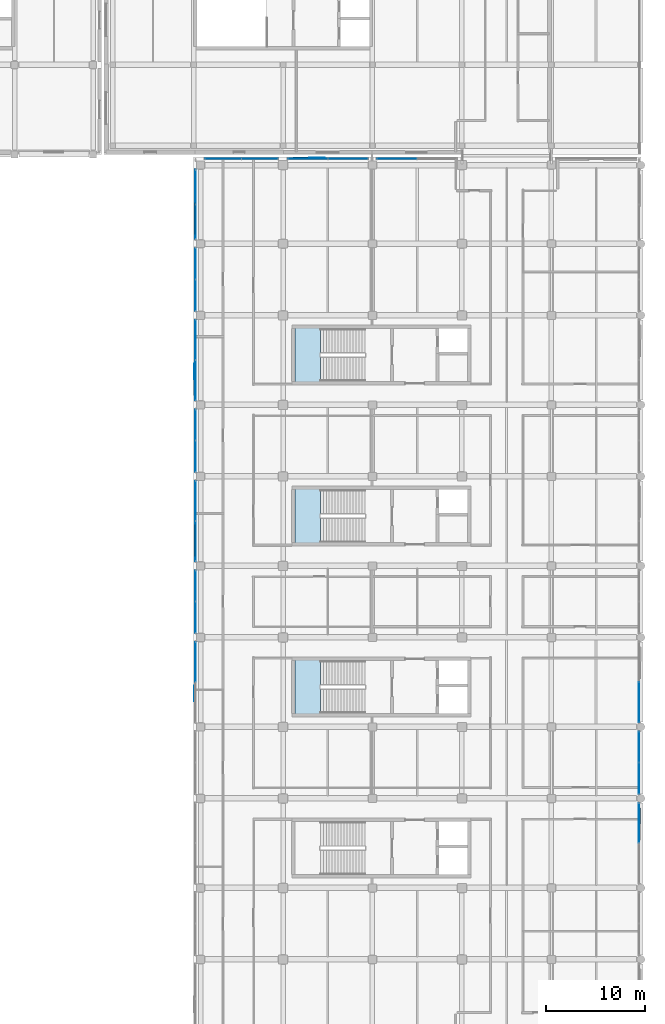
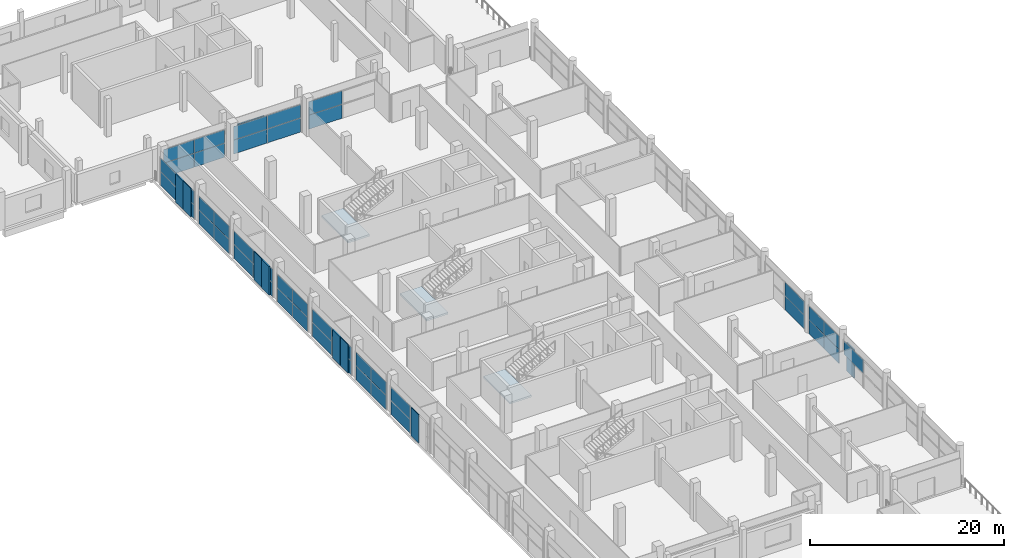
# One storey, part 58 of 111: 53 plates, 3 slabs, 16 elements without a shape of their own.
"""IFC4 building model written with IfcOpenShell, lengths in metres."""

from ifc_helpers import new_model, si_unit, direction, frame, origin, origin_2d, place, context, subcontext, project, spatial, polyline, rectangle, outline, extrude, material, layer, layer_set, type_object, element, aggregate, save


model = new_model("IFC4")

# Units and contexts
model_context = context("Model", 3, precision=1e-05, world=origin(), true_north=direction((0.0, 1.0)))
body_context = subcontext(model_context, "Body", "Model", "MODEL_VIEW")
ifc_project = project(units=[si_unit("LENGTHUNIT", "METRE"), si_unit("AREAUNIT", "SQUARE_METRE"), si_unit("VOLUMEUNIT", "CUBIC_METRE"), si_unit("PLANEANGLEUNIT", "RADIAN"), si_unit("MASSUNIT", "GRAM", prefix="KILO"), si_unit("THERMODYNAMICTEMPERATUREUNIT", "KELVIN"), si_unit("POWERUNIT", "WATT")], contexts=[model_context])

# Site, building, storey
site_placement = place(None, origin())
site = spatial("IfcSite", under=ifc_project, at=site_placement, CompositionType="ELEMENT")
building_placement = place(site_placement, origin())
building = spatial("IfcBuilding", under=site, at=building_placement, Name="Sindhuravela Promenade Stadium", CompositionType="ELEMENT")
storey_placement = place(building_placement, frame((0.0, 0.0, 9.60009765625)))
storey = spatial("IfcBuildingStorey", under=building, at=storey_placement, Name="L02", CompositionType="ELEMENT", Elevation=9.60009765625)

# Plates
ifc_material_1 = material(Name="Perforated terracotta celosia brick (15 MPa)", Category="masonry")
ifc_layer_1 = layer(ifc_material_1, 0.090087890625)
ifc_layer_set_1 = layer_set([ifc_layer_1], Name="Perforated terracotta celosia brick (15 MPa)")
plate_type_1 = type_object("IfcPlateType", Name="CL-SCR-01", PredefinedType="USERDEFINED", material=ifc_layer_set_1)
for number, where, z_axis, x_axis, name in (
    (1, (171.1201171875, 71.7548828125, -0.000244140625), (0.0, 0.0, 1.0), (0.0, 1.0, 0.0), "Perforated brick celosia screen EAST L02-96"),
    (2, (171.1201171875, 104.155029296875, -0.000244140625), (0.0, 0.0, 1.0), (0.0, 1.0, 0.0), "Perforated brick celosia screen EAST L02-100"),
    (3, (183.405029296875, 125.6298828125, -0.000244140625), (0.0, 0.0, 1.0), (1.0, 0.0, 0.0), "Perforated brick celosia screen EAST L02-104"),
):
    element("IfcPlate", number, at=place(storey_placement, frame(where, z_axis=z_axis, x_axis=x_axis)), inside=storey, type_object=plate_type_1, Name=name, ObjectType="SCREEN PANEL", PredefinedType="USERDEFINED", context=body_context, shape_type="SweptSolid", body=[
        extrude(rectangle(XDim=1.56005859375, YDim=0.090087890625, at=origin_2d()), origin(), (0.0, 0.0, 1.0), 3.580078125),
    ])
ifc_layer_2 = layer(ifc_material_1, 0.114990234375)
ifc_layer_set_2 = layer_set([ifc_layer_2], Name="Perforated terracotta celosia brick (15 MPa)")
plate_type_2 = type_object("IfcPlateType", Name="CL-SCR-02", PredefinedType="USERDEFINED", material=ifc_layer_set_2)
for number, where, z_axis, x_axis, name in (
    (4, (171.1201171875, 86.35498046875, -0.000244140625), (0.0, 0.0, 1.0), (0.0, 1.0, 0.0), "Perforated brick celosia screen EAST L02-97"),
    (5, (171.1201171875, 118.7548828125, -0.000244140625), (0.0, 0.0, 1.0), (0.0, 1.0, 0.0), "Perforated brick celosia screen EAST L02-101"),
    (6, (215.8798828125, 59.445068359375, -0.000244140625), (0.0, 0.0, 1.0), (0.0, -1.0, 0.0), "Perforated brick celosia screen EAST L02-113"),
):
    element("IfcPlate", number, at=place(storey_placement, frame(where, z_axis=z_axis, x_axis=x_axis)), inside=storey, type_object=plate_type_2, Name=name, ObjectType="SCREEN PANEL", PredefinedType="USERDEFINED", context=body_context, shape_type="SweptSolid", body=[
        extrude(rectangle(XDim=1.56005859375, YDim=0.114990234375, at=origin_2d()), origin(), (0.0, 0.0, 1.0), 3.580078125),
    ])
ifc_layer_3 = layer(ifc_material_1, 0.139892578125)
ifc_layer_set_3 = layer_set([ifc_layer_3], Name="Perforated terracotta celosia brick (15 MPa)")
plate_type_3 = type_object("IfcPlateType", Name="CL-SCR-03", PredefinedType="USERDEFINED", material=ifc_layer_set_3)
for number, where, z_axis, x_axis, name in (
    (7, (171.1201171875, 87.955078125, -0.000244140625), (0.0, 0.0, 1.0), (0.0, 1.0, 0.0), "Perforated brick celosia screen EAST L02-98"),
    (8, (171.1201171875, 120.35498046875, -0.000244140625), (0.0, 0.0, 1.0), (0.0, 1.0, 0.0), "Perforated brick celosia screen EAST L02-102"),
):
    element("IfcPlate", number, at=place(storey_placement, frame(where, z_axis=z_axis, x_axis=x_axis)), inside=storey, type_object=plate_type_3, Name=name, ObjectType="SCREEN PANEL", PredefinedType="USERDEFINED", context=body_context, shape_type="SweptSolid", body=[
        extrude(rectangle(XDim=1.56005859375, YDim=0.139892578125, at=origin_2d()), origin(), (0.0, 0.0, 1.0), 3.580078125),
    ])
ifc_layer_4 = layer(ifc_material_1, 0.1650390625)
ifc_layer_set_4 = layer_set([ifc_layer_4], Name="Perforated terracotta celosia brick (15 MPa)")
plate_type_4 = type_object("IfcPlateType", Name="CL-SCR-04", PredefinedType="USERDEFINED", material=ifc_layer_set_4)
for number, where, z_axis, x_axis, name in (
    (9, (171.1201171875, 102.554931640625, -0.000244140625), (0.0, 0.0, 1.0), (0.0, 1.0, 0.0), "Perforated brick celosia screen EAST L02-99"),
    (10, (181.804931640625, 125.6298828125, -0.000244140625), (0.0, 0.0, 1.0), (1.0, 0.0, 0.0), "Perforated brick celosia screen EAST L02-103"),
):
    element("IfcPlate", number, at=place(storey_placement, frame(where, z_axis=z_axis, x_axis=x_axis)), inside=storey, type_object=plate_type_4, Name=name, ObjectType="SCREEN PANEL", PredefinedType="USERDEFINED", context=body_context, shape_type="SweptSolid", body=[
        extrude(rectangle(XDim=1.56005859375, YDim=0.1650390625, at=origin_2d()), origin(), (0.0, 0.0, 1.0), 3.580078125),
    ])

# Curtain wall, plates
ifc_material_2 = material(Name="Anodised architectural aluminium 6063-T6", Category="aluminium")
curtain_wall_type_1 = type_object("IfcCurtainWallType", Name="CW-MOD-1", PredefinedType="NOTDEFINED", material=ifc_material_2)
curtain_wall_1_placement = place(storey_placement, origin())
curtain_wall_1 = element("IfcCurtainWall", 11, at=curtain_wall_1_placement, inside=storey, type_object=curtain_wall_type_1, Name="Bronze curtain wall CW-EAST-L02-096", PredefinedType="NOTDEFINED")
ifc_material_3 = material(Name="Tempered laminated low-E glass", Category="glass")
ifc_layer_5 = layer(ifc_material_3, 0.028076171875)
ifc_layer_set_5 = layer_set([ifc_layer_5], Name="Tempered laminated low-E glass")
plate_type_5 = type_object("IfcPlateType", Name="CW-PNL-01", PredefinedType="CURTAIN_PANEL", material=ifc_layer_set_5)
plate_1_placement = place(storey_placement, frame((171.199951171875, 74.925048828125, 0.01513671875), z_axis=(0.0, 0.0, 1.0), x_axis=(0.0, 1.0, 0.0)))
plate_1 = element("IfcPlate", 12, at=plate_1_placement, type_object=plate_type_5, Name="Glazed curtain panel CW-EAST-L02-096-P2.1", PredefinedType="CURTAIN_PANEL", context=body_context, shape_type="SweptSolid", body=[
    extrude(rectangle(XDim=3.989990234375, YDim=0.028076171875, at=origin_2d()), origin(), (0.0, 0.0, 1.0), 1.760009765625),
])
plate_2_placement = place(storey_placement, frame((171.199951171875, 74.925048828125, 1.80517578125), z_axis=(0.0, 0.0, 1.0), x_axis=(0.0, 1.0, 0.0)))
plate_2 = element("IfcPlate", 13, at=plate_2_placement, type_object=plate_type_5, Name="Glazed curtain panel CW-EAST-L02-096-P2.2", PredefinedType="CURTAIN_PANEL", context=body_context, shape_type="SweptSolid", body=[
    extrude(rectangle(XDim=3.989990234375, YDim=0.028076171875, at=origin_2d()), origin(), (0.0, 0.0, 1.0), 1.679931640625),
])
aggregate(curtain_wall_1, [plate_1, plate_2])

curtain_wall_type_2 = type_object("IfcCurtainWallType", Name="CW-MOD-3", PredefinedType="NOTDEFINED", material=ifc_material_2)
curtain_wall_2_placement = place(storey_placement, origin())
curtain_wall_2 = element("IfcCurtainWall", 14, at=curtain_wall_2_placement, inside=storey, type_object=curtain_wall_type_2, Name="Bronze curtain wall CW-EAST-L02-098", PredefinedType="NOTDEFINED")
plate_3_placement = place(storey_placement, frame((171.199951171875, 87.074951171875, 0.01513671875), z_axis=(0.0, 0.0, 1.0), x_axis=(0.0, 1.0, 0.0)))
plate_3 = element("IfcPlate", 15, at=plate_3_placement, type_object=plate_type_5, Name="Glazed curtain panel CW-EAST-L02-098-P1.1", PredefinedType="CURTAIN_PANEL", context=body_context, shape_type="SweptSolid", body=[
    extrude(rectangle(XDim=3.989990234375, YDim=0.028076171875, at=origin_2d()), origin(), (0.0, 0.0, 1.0), 1.760009765625),
])
plate_4_placement = place(storey_placement, frame((171.199951171875, 87.074951171875, 1.80517578125), z_axis=(0.0, 0.0, 1.0), x_axis=(0.0, 1.0, 0.0)))
plate_4 = element("IfcPlate", 16, at=plate_4_placement, type_object=plate_type_5, Name="Glazed curtain panel CW-EAST-L02-098-P1.2", PredefinedType="CURTAIN_PANEL", context=body_context, shape_type="SweptSolid", body=[
    extrude(rectangle(XDim=3.989990234375, YDim=0.028076171875, at=origin_2d()), origin(), (0.0, 0.0, 1.0), 1.679931640625),
])
plate_5_placement = place(storey_placement, frame((171.199951171875, 91.125, 0.01513671875), z_axis=(0.0, 0.0, 1.0), x_axis=(0.0, 1.0, 0.0)))
plate_5 = element("IfcPlate", 17, at=plate_5_placement, type_object=plate_type_5, Name="Glazed curtain panel CW-EAST-L02-098-P2.1", PredefinedType="CURTAIN_PANEL", context=body_context, shape_type="SweptSolid", body=[
    extrude(rectangle(XDim=3.989990234375, YDim=0.028076171875, at=origin_2d()), origin(), (0.0, 0.0, 1.0), 1.760009765625),
])
plate_6_placement = place(storey_placement, frame((171.199951171875, 91.125, 1.80517578125), z_axis=(0.0, 0.0, 1.0), x_axis=(0.0, 1.0, 0.0)))
plate_6 = element("IfcPlate", 18, at=plate_6_placement, type_object=plate_type_5, Name="Glazed curtain panel CW-EAST-L02-098-P2.2", PredefinedType="CURTAIN_PANEL", context=body_context, shape_type="SweptSolid", body=[
    extrude(rectangle(XDim=3.989990234375, YDim=0.028076171875, at=origin_2d()), origin(), (0.0, 0.0, 1.0), 1.679931640625),
])
aggregate(curtain_wall_2, [plate_3, plate_4, plate_5, plate_6])

curtain_wall_type_3 = type_object("IfcCurtainWallType", Name="CW-MOD-5", PredefinedType="NOTDEFINED", material=ifc_material_2)
curtain_wall_3_placement = place(storey_placement, origin())
curtain_wall_3 = element("IfcCurtainWall", 19, at=curtain_wall_3_placement, inside=storey, type_object=curtain_wall_type_3, Name="Bronze curtain wall CW-EAST-L02-100", PredefinedType="NOTDEFINED")
plate_7_placement = place(storey_placement, frame((171.199951171875, 103.27490234375, 0.01513671875), z_axis=(0.0, 0.0, 1.0), x_axis=(0.0, 1.0, 0.0)))
plate_7 = element("IfcPlate", 20, at=plate_7_placement, type_object=plate_type_5, Name="Glazed curtain panel CW-EAST-L02-100-P1.1", PredefinedType="CURTAIN_PANEL", context=body_context, shape_type="SweptSolid", body=[
    extrude(rectangle(XDim=3.989990234375, YDim=0.028076171875, at=origin_2d()), origin(), (0.0, 0.0, 1.0), 1.760009765625),
])
plate_8_placement = place(storey_placement, frame((171.199951171875, 103.27490234375, 1.80517578125), z_axis=(0.0, 0.0, 1.0), x_axis=(0.0, 1.0, 0.0)))
plate_8 = element("IfcPlate", 21, at=plate_8_placement, type_object=plate_type_5, Name="Glazed curtain panel CW-EAST-L02-100-P1.2", PredefinedType="CURTAIN_PANEL", context=body_context, shape_type="SweptSolid", body=[
    extrude(rectangle(XDim=3.989990234375, YDim=0.028076171875, at=origin_2d()), origin(), (0.0, 0.0, 1.0), 1.679931640625),
])
plate_9_placement = place(storey_placement, frame((171.199951171875, 107.324951171875, 0.01513671875), z_axis=(0.0, 0.0, 1.0), x_axis=(0.0, 1.0, 0.0)))
plate_9 = element("IfcPlate", 22, at=plate_9_placement, type_object=plate_type_5, Name="Glazed curtain panel CW-EAST-L02-100-P2.1", PredefinedType="CURTAIN_PANEL", context=body_context, shape_type="SweptSolid", body=[
    extrude(rectangle(XDim=3.989990234375, YDim=0.028076171875, at=origin_2d()), origin(), (0.0, 0.0, 1.0), 1.760009765625),
])
plate_10_placement = place(storey_placement, frame((171.199951171875, 107.324951171875, 1.80517578125), z_axis=(0.0, 0.0, 1.0), x_axis=(0.0, 1.0, 0.0)))
plate_10 = element("IfcPlate", 23, at=plate_10_placement, type_object=plate_type_5, Name="Glazed curtain panel CW-EAST-L02-100-P2.2", PredefinedType="CURTAIN_PANEL", context=body_context, shape_type="SweptSolid", body=[
    extrude(rectangle(XDim=3.989990234375, YDim=0.028076171875, at=origin_2d()), origin(), (0.0, 0.0, 1.0), 1.679931640625),
])
aggregate(curtain_wall_3, [plate_7, plate_8, plate_9, plate_10])

curtain_wall_type_4 = type_object("IfcCurtainWallType", Name="CW-MOD-7", PredefinedType="NOTDEFINED", material=ifc_material_2)
curtain_wall_4_placement = place(storey_placement, origin())
curtain_wall_4 = element("IfcCurtainWall", 24, at=curtain_wall_4_placement, inside=storey, type_object=curtain_wall_type_4, Name="Bronze curtain wall CW-EAST-L02-102", PredefinedType="NOTDEFINED")
plate_11_placement = place(storey_placement, frame((171.199951171875, 119.199951171875, 0.01513671875), z_axis=(0.0, 0.0, 1.0), x_axis=(0.0, 1.0, 0.0)))
plate_11 = element("IfcPlate", 25, at=plate_11_placement, type_object=plate_type_5, Name="Glazed curtain panel CW-EAST-L02-102-P1.1", PredefinedType="CURTAIN_PANEL", context=body_context, shape_type="SweptSolid", body=[
    extrude(rectangle(XDim=3.43994140625, YDim=0.028076171875, at=origin_2d()), origin(), (0.0, 0.0, 1.0), 1.760009765625),
])
plate_12_placement = place(storey_placement, frame((171.199951171875, 119.199951171875, 1.80517578125), z_axis=(0.0, 0.0, 1.0), x_axis=(0.0, 1.0, 0.0)))
plate_12 = element("IfcPlate", 26, at=plate_12_placement, type_object=plate_type_5, Name="Glazed curtain panel CW-EAST-L02-102-P1.2", PredefinedType="CURTAIN_PANEL", context=body_context, shape_type="SweptSolid", body=[
    extrude(rectangle(XDim=3.43994140625, YDim=0.028076171875, at=origin_2d()), origin(), (0.0, 0.0, 1.0), 1.679931640625),
])
plate_13_placement = place(storey_placement, frame((171.199951171875, 122.699951171875, 0.01513671875), z_axis=(0.0, 0.0, 1.0), x_axis=(0.0, 1.0, 0.0)))
plate_13 = element("IfcPlate", 27, at=plate_13_placement, type_object=plate_type_5, Name="Glazed curtain panel CW-EAST-L02-102-P2.1", PredefinedType="CURTAIN_PANEL", context=body_context, shape_type="SweptSolid", body=[
    extrude(rectangle(XDim=3.43994140625, YDim=0.028076171875, at=origin_2d()), origin(), (0.0, 0.0, 1.0), 1.760009765625),
])
plate_14_placement = place(storey_placement, frame((171.199951171875, 122.699951171875, 1.80517578125), z_axis=(0.0, 0.0, 1.0), x_axis=(0.0, 1.0, 0.0)))
plate_14 = element("IfcPlate", 28, at=plate_14_placement, type_object=plate_type_5, Name="Glazed curtain panel CW-EAST-L02-102-P2.2", PredefinedType="CURTAIN_PANEL", context=body_context, shape_type="SweptSolid", body=[
    extrude(rectangle(XDim=3.43994140625, YDim=0.028076171875, at=origin_2d()), origin(), (0.0, 0.0, 1.0), 1.679931640625),
])
aggregate(curtain_wall_4, [plate_11, plate_12, plate_13, plate_14])

curtain_wall_5_placement = place(storey_placement, origin())
curtain_wall_5 = element("IfcCurtainWall", 29, at=curtain_wall_5_placement, inside=storey, type_object=curtain_wall_type_1, Name="Bronze curtain wall CW-EAST-L02-104", PredefinedType="NOTDEFINED")
plate_15_placement = place(storey_placement, frame((182.512451171875, 125.550048828125, 0.01513671875), z_axis=(0.0, 0.0, 1.0), x_axis=(1.0, 0.0, 0.0)))
plate_15 = element("IfcPlate", 30, at=plate_15_placement, type_object=plate_type_5, Name="Glazed curtain panel CW-EAST-L02-104-P1.1", PredefinedType="CURTAIN_PANEL", context=body_context, shape_type="SweptSolid", body=[
    extrude(rectangle(XDim=3.965087890625, YDim=0.028076171875, at=origin_2d()), origin(), (0.0, 0.0, 1.0), 1.760009765625),
])
plate_16_placement = place(storey_placement, frame((182.512451171875, 125.550048828125, 1.80517578125), z_axis=(0.0, 0.0, 1.0), x_axis=(1.0, 0.0, 0.0)))
plate_16 = element("IfcPlate", 31, at=plate_16_placement, type_object=plate_type_5, Name="Glazed curtain panel CW-EAST-L02-104-P1.2", PredefinedType="CURTAIN_PANEL", context=body_context, shape_type="SweptSolid", body=[
    extrude(rectangle(XDim=3.965087890625, YDim=0.028076171875, at=origin_2d()), origin(), (0.0, 0.0, 1.0), 1.679931640625),
])
plate_17_placement = place(storey_placement, frame((186.53759765625, 125.550048828125, 0.01513671875), z_axis=(0.0, 0.0, 1.0), x_axis=(1.0, 0.0, 0.0)))
plate_17 = element("IfcPlate", 32, at=plate_17_placement, type_object=plate_type_5, Name="Glazed curtain panel CW-EAST-L02-104-P2.1", PredefinedType="CURTAIN_PANEL", context=body_context, shape_type="SweptSolid", body=[
    extrude(rectangle(XDim=3.965087890625, YDim=0.028076171875, at=origin_2d()), origin(), (0.0, 0.0, 1.0), 1.760009765625),
])
plate_18_placement = place(storey_placement, frame((186.53759765625, 125.550048828125, 1.80517578125), z_axis=(0.0, 0.0, 1.0), x_axis=(1.0, 0.0, 0.0)))
plate_18 = element("IfcPlate", 33, at=plate_18_placement, type_object=plate_type_5, Name="Glazed curtain panel CW-EAST-L02-104-P2.2", PredefinedType="CURTAIN_PANEL", context=body_context, shape_type="SweptSolid", body=[
    extrude(rectangle(XDim=3.965087890625, YDim=0.028076171875, at=origin_2d()), origin(), (0.0, 0.0, 1.0), 1.679931640625),
])
aggregate(curtain_wall_5, [plate_15, plate_16, plate_17, plate_18])

curtain_wall_6_placement = place(storey_placement, origin())
curtain_wall_6 = element("IfcCurtainWall", 34, at=curtain_wall_6_placement, inside=storey, type_object=curtain_wall_type_1, Name="Bronze curtain wall CW-EAST-L02-112", PredefinedType="NOTDEFINED")
plate_19_placement = place(storey_placement, frame((215.800048828125, 70.875, 0.01513671875), z_axis=(0.0, 0.0, 1.0), x_axis=(0.0, -1.0, 0.0)))
plate_19 = element("IfcPlate", 35, at=plate_19_placement, type_object=plate_type_5, Name="Glazed curtain panel CW-EAST-L02-112-P2.1", PredefinedType="CURTAIN_PANEL", context=body_context, shape_type="SweptSolid", body=[
    extrude(rectangle(XDim=3.989990234375, YDim=0.028076171875, at=origin_2d()), origin(), (0.0, 0.0, 1.0), 1.760009765625),
])
plate_20_placement = place(storey_placement, frame((215.800048828125, 70.875, 1.80517578125), z_axis=(0.0, 0.0, 1.0), x_axis=(0.0, -1.0, 0.0)))
plate_20 = element("IfcPlate", 36, at=plate_20_placement, type_object=plate_type_5, Name="Glazed curtain panel CW-EAST-L02-112-P2.2", PredefinedType="CURTAIN_PANEL", context=body_context, shape_type="SweptSolid", body=[
    extrude(rectangle(XDim=3.989990234375, YDim=0.028076171875, at=origin_2d()), origin(), (0.0, 0.0, 1.0), 1.679931640625),
])
aggregate(curtain_wall_6, [plate_19, plate_20])

# Curtain wall, plate
curtain_wall_7_placement = place(storey_placement, origin())
curtain_wall_7 = element("IfcCurtainWall", 37, at=curtain_wall_7_placement, inside=storey, type_object=curtain_wall_type_2, Name="Bronze curtain wall CW-EAST-L02-114", PredefinedType="NOTDEFINED")
plate_21_placement = place(storey_placement, frame((215.800048828125, 58.72509765625, 1.80517578125), z_axis=(0.0, 0.0, 1.0), x_axis=(0.0, -1.0, 0.0)))
plate_21 = element("IfcPlate", 38, at=plate_21_placement, type_object=plate_type_5, Name="Glazed curtain panel CW-EAST-L02-114-P1.2", PredefinedType="CURTAIN_PANEL", context=body_context, shape_type="SweptSolid", body=[
    extrude(rectangle(XDim=3.989990234375, YDim=0.028076171875, at=origin_2d()), origin(), (0.0, 0.0, 1.0), 1.679931640625),
])
aggregate(curtain_wall_7, [plate_21])

# Curtain wall, plates
curtain_wall_type_5 = type_object("IfcCurtainWallType", Name="CW-MOD-2", PredefinedType="NOTDEFINED", material=ifc_material_2)
curtain_wall_8_placement = place(storey_placement, origin())
curtain_wall_8 = element("IfcCurtainWall", 39, at=curtain_wall_8_placement, inside=storey, type_object=curtain_wall_type_5, Name="Bronze curtain wall CW-EAST-L02-097", PredefinedType="NOTDEFINED")
ifc_layer_6 = layer(ifc_material_3, 0.0400390625)
ifc_layer_set_6 = layer_set([ifc_layer_6], Name="Tempered laminated low-E glass")
plate_type_6 = type_object("IfcPlateType", Name="CW-PNL-02", PredefinedType="CURTAIN_PANEL", material=ifc_layer_set_6)
plate_22_placement = place(storey_placement, frame((171.199951171875, 79.425048828125, 0.01513671875), z_axis=(0.0, 0.0, 1.0), x_axis=(0.0, 1.0, 0.0)))
plate_22 = element("IfcPlate", 40, at=plate_22_placement, type_object=plate_type_6, Name="Glazed curtain panel CW-EAST-L02-097-P1.1", PredefinedType="CURTAIN_PANEL", context=body_context, shape_type="SweptSolid", body=[
    extrude(rectangle(XDim=3.090087890625, YDim=0.0400390625, at=origin_2d()), origin(), (0.0, 0.0, 1.0), 1.760009765625),
])
plate_23_placement = place(storey_placement, frame((171.199951171875, 79.425048828125, 1.80517578125), z_axis=(0.0, 0.0, 1.0), x_axis=(0.0, 1.0, 0.0)))
plate_23 = element("IfcPlate", 41, at=plate_23_placement, type_object=plate_type_6, Name="Glazed curtain panel CW-EAST-L02-097-P1.2", PredefinedType="CURTAIN_PANEL", context=body_context, shape_type="SweptSolid", body=[
    extrude(rectangle(XDim=3.090087890625, YDim=0.0400390625, at=origin_2d()), origin(), (0.0, 0.0, 1.0), 1.679931640625),
])
plate_24_placement = place(storey_placement, frame((171.199951171875, 82.574951171875, 0.01513671875), z_axis=(0.0, 0.0, 1.0), x_axis=(0.0, 1.0, 0.0)))
plate_24 = element("IfcPlate", 42, at=plate_24_placement, type_object=plate_type_6, Name="Glazed curtain panel CW-EAST-L02-097-P2.1", PredefinedType="CURTAIN_PANEL", context=body_context, shape_type="SweptSolid", body=[
    extrude(rectangle(XDim=3.090087890625, YDim=0.0400390625, at=origin_2d()), origin(), (0.0, 0.0, 1.0), 1.760009765625),
])
plate_25_placement = place(storey_placement, frame((171.199951171875, 82.574951171875, 1.80517578125), z_axis=(0.0, 0.0, 1.0), x_axis=(0.0, 1.0, 0.0)))
plate_25 = element("IfcPlate", 43, at=plate_25_placement, type_object=plate_type_6, Name="Glazed curtain panel CW-EAST-L02-097-P2.2", PredefinedType="CURTAIN_PANEL", context=body_context, shape_type="SweptSolid", body=[
    extrude(rectangle(XDim=3.090087890625, YDim=0.0400390625, at=origin_2d()), origin(), (0.0, 0.0, 1.0), 1.679931640625),
])
aggregate(curtain_wall_8, [plate_22, plate_23, plate_24, plate_25])

curtain_wall_type_6 = type_object("IfcCurtainWallType", Name="CW-MOD-4", PredefinedType="NOTDEFINED", material=ifc_material_2)
curtain_wall_9_placement = place(storey_placement, origin())
curtain_wall_9 = element("IfcCurtainWall", 44, at=curtain_wall_9_placement, inside=storey, type_object=curtain_wall_type_6, Name="Bronze curtain wall CW-EAST-L02-099", PredefinedType="NOTDEFINED")
plate_26_placement = place(storey_placement, frame((171.199951171875, 95.625, 0.01513671875), z_axis=(0.0, 0.0, 1.0), x_axis=(0.0, 1.0, 0.0)))
plate_26 = element("IfcPlate", 45, at=plate_26_placement, type_object=plate_type_6, Name="Glazed curtain panel CW-EAST-L02-099-P1.1", PredefinedType="CURTAIN_PANEL", context=body_context, shape_type="SweptSolid", body=[
    extrude(rectangle(XDim=3.090087890625, YDim=0.0400390625, at=origin_2d()), origin(), (0.0, 0.0, 1.0), 1.760009765625),
])
plate_27_placement = place(storey_placement, frame((171.199951171875, 95.625, 1.80517578125), z_axis=(0.0, 0.0, 1.0), x_axis=(0.0, 1.0, 0.0)))
plate_27 = element("IfcPlate", 46, at=plate_27_placement, type_object=plate_type_6, Name="Glazed curtain panel CW-EAST-L02-099-P1.2", PredefinedType="CURTAIN_PANEL", context=body_context, shape_type="SweptSolid", body=[
    extrude(rectangle(XDim=3.090087890625, YDim=0.0400390625, at=origin_2d()), origin(), (0.0, 0.0, 1.0), 1.679931640625),
])
plate_28_placement = place(storey_placement, frame((171.199951171875, 98.77490234375, 0.01513671875), z_axis=(0.0, 0.0, 1.0), x_axis=(0.0, 1.0, 0.0)))
plate_28 = element("IfcPlate", 47, at=plate_28_placement, type_object=plate_type_6, Name="Glazed curtain panel CW-EAST-L02-099-P2.1", PredefinedType="CURTAIN_PANEL", context=body_context, shape_type="SweptSolid", body=[
    extrude(rectangle(XDim=3.090087890625, YDim=0.0400390625, at=origin_2d()), origin(), (0.0, 0.0, 1.0), 1.760009765625),
])
plate_29_placement = place(storey_placement, frame((171.199951171875, 98.77490234375, 1.80517578125), z_axis=(0.0, 0.0, 1.0), x_axis=(0.0, 1.0, 0.0)))
plate_29 = element("IfcPlate", 48, at=plate_29_placement, type_object=plate_type_6, Name="Glazed curtain panel CW-EAST-L02-099-P2.2", PredefinedType="CURTAIN_PANEL", context=body_context, shape_type="SweptSolid", body=[
    extrude(rectangle(XDim=3.090087890625, YDim=0.0400390625, at=origin_2d()), origin(), (0.0, 0.0, 1.0), 1.679931640625),
])
aggregate(curtain_wall_9, [plate_26, plate_27, plate_28, plate_29])

curtain_wall_type_7 = type_object("IfcCurtainWallType", Name="CW-MOD-6", PredefinedType="NOTDEFINED", material=ifc_material_2)
curtain_wall_10_placement = place(storey_placement, origin())
curtain_wall_10 = element("IfcCurtainWall", 49, at=curtain_wall_10_placement, inside=storey, type_object=curtain_wall_type_7, Name="Bronze curtain wall CW-EAST-L02-101", PredefinedType="NOTDEFINED")
plate_30_placement = place(storey_placement, frame((171.199951171875, 111.824951171875, 0.01513671875), z_axis=(0.0, 0.0, 1.0), x_axis=(0.0, 1.0, 0.0)))
plate_30 = element("IfcPlate", 50, at=plate_30_placement, type_object=plate_type_6, Name="Glazed curtain panel CW-EAST-L02-101-P1.1", PredefinedType="CURTAIN_PANEL", context=body_context, shape_type="SweptSolid", body=[
    extrude(rectangle(XDim=3.090087890625, YDim=0.0400390625, at=origin_2d()), origin(), (0.0, 0.0, 1.0), 1.760009765625),
])
plate_31_placement = place(storey_placement, frame((171.199951171875, 111.824951171875, 1.80517578125), z_axis=(0.0, 0.0, 1.0), x_axis=(0.0, 1.0, 0.0)))
plate_31 = element("IfcPlate", 51, at=plate_31_placement, type_object=plate_type_6, Name="Glazed curtain panel CW-EAST-L02-101-P1.2", PredefinedType="CURTAIN_PANEL", context=body_context, shape_type="SweptSolid", body=[
    extrude(rectangle(XDim=3.090087890625, YDim=0.0400390625, at=origin_2d()), origin(), (0.0, 0.0, 1.0), 1.679931640625),
])
plate_32_placement = place(storey_placement, frame((171.199951171875, 114.97509765625, 0.01513671875), z_axis=(0.0, 0.0, 1.0), x_axis=(0.0, 1.0, 0.0)))
plate_32 = element("IfcPlate", 52, at=plate_32_placement, type_object=plate_type_6, Name="Glazed curtain panel CW-EAST-L02-101-P2.1", PredefinedType="CURTAIN_PANEL", context=body_context, shape_type="SweptSolid", body=[
    extrude(rectangle(XDim=3.090087890625, YDim=0.0400390625, at=origin_2d()), origin(), (0.0, 0.0, 1.0), 1.760009765625),
])
plate_33_placement = place(storey_placement, frame((171.199951171875, 114.97509765625, 1.80517578125), z_axis=(0.0, 0.0, 1.0), x_axis=(0.0, 1.0, 0.0)))
plate_33 = element("IfcPlate", 53, at=plate_33_placement, type_object=plate_type_6, Name="Glazed curtain panel CW-EAST-L02-101-P2.2", PredefinedType="CURTAIN_PANEL", context=body_context, shape_type="SweptSolid", body=[
    extrude(rectangle(XDim=3.090087890625, YDim=0.0400390625, at=origin_2d()), origin(), (0.0, 0.0, 1.0), 1.679931640625),
])
aggregate(curtain_wall_10, [plate_30, plate_31, plate_32, plate_33])

curtain_wall_type_8 = type_object("IfcCurtainWallType", Name="CW-MOD-8", PredefinedType="NOTDEFINED", material=ifc_material_2)
curtain_wall_11_placement = place(storey_placement, origin())
curtain_wall_11 = element("IfcCurtainWall", 54, at=curtain_wall_11_placement, inside=storey, type_object=curtain_wall_type_8, Name="Bronze curtain wall CW-EAST-L02-103", PredefinedType="NOTDEFINED")
plate_34_placement = place(storey_placement, frame((173.987548828125, 125.550048828125, 0.01513671875), z_axis=(0.0, 0.0, 1.0), x_axis=(1.0, 0.0, 0.0)))
plate_34 = element("IfcPlate", 55, at=plate_34_placement, type_object=plate_type_6, Name="Glazed curtain panel CW-EAST-L02-103-P1.1", PredefinedType="CURTAIN_PANEL", context=body_context, shape_type="SweptSolid", body=[
    extrude(rectangle(XDim=3.614990234375, YDim=0.0400390625, at=origin_2d()), origin(), (0.0, 0.0, 1.0), 1.760009765625),
])
plate_35_placement = place(storey_placement, frame((173.987548828125, 125.550048828125, 1.80517578125), z_axis=(0.0, 0.0, 1.0), x_axis=(1.0, 0.0, 0.0)))
plate_35 = element("IfcPlate", 56, at=plate_35_placement, type_object=plate_type_6, Name="Glazed curtain panel CW-EAST-L02-103-P1.2", PredefinedType="CURTAIN_PANEL", context=body_context, shape_type="SweptSolid", body=[
    extrude(rectangle(XDim=3.614990234375, YDim=0.0400390625, at=origin_2d()), origin(), (0.0, 0.0, 1.0), 1.679931640625),
])
plate_36_placement = place(storey_placement, frame((177.66259765625, 125.550048828125, 0.01513671875), z_axis=(0.0, 0.0, 1.0), x_axis=(1.0, 0.0, 0.0)))
plate_36 = element("IfcPlate", 57, at=plate_36_placement, type_object=plate_type_6, Name="Glazed curtain panel CW-EAST-L02-103-P2.1", PredefinedType="CURTAIN_PANEL", context=body_context, shape_type="SweptSolid", body=[
    extrude(rectangle(XDim=3.614990234375, YDim=0.0400390625, at=origin_2d()), origin(), (0.0, 0.0, 1.0), 1.760009765625),
])
plate_37_placement = place(storey_placement, frame((177.66259765625, 125.550048828125, 1.80517578125), z_axis=(0.0, 0.0, 1.0), x_axis=(1.0, 0.0, 0.0)))
plate_37 = element("IfcPlate", 58, at=plate_37_placement, type_object=plate_type_6, Name="Glazed curtain panel CW-EAST-L02-103-P2.2", PredefinedType="CURTAIN_PANEL", context=body_context, shape_type="SweptSolid", body=[
    extrude(rectangle(XDim=3.614990234375, YDim=0.0400390625, at=origin_2d()), origin(), (0.0, 0.0, 1.0), 1.679931640625),
])
aggregate(curtain_wall_11, [plate_34, plate_35, plate_36, plate_37])

curtain_wall_12_placement = place(storey_placement, origin())
curtain_wall_12 = element("IfcCurtainWall", 59, at=curtain_wall_12_placement, inside=storey, type_object=curtain_wall_type_5, Name="Bronze curtain wall CW-EAST-L02-105", PredefinedType="NOTDEFINED")
plate_38_placement = place(storey_placement, frame((191.46240234375, 125.550048828125, 0.01513671875), z_axis=(0.0, 0.0, 1.0), x_axis=(1.0, 0.0, 0.0)))
plate_38 = element("IfcPlate", 60, at=plate_38_placement, type_object=plate_type_6, Name="Glazed curtain panel CW-EAST-L02-105-P1.1", PredefinedType="CURTAIN_PANEL", context=body_context, shape_type="SweptSolid", body=[
    extrude(rectangle(XDim=3.965087890625, YDim=0.0400390625, at=origin_2d()), origin(), (0.0, 0.0, 1.0), 1.760009765625),
])
plate_39_placement = place(storey_placement, frame((191.46240234375, 125.550048828125, 1.80517578125), z_axis=(0.0, 0.0, 1.0), x_axis=(1.0, 0.0, 0.0)))
plate_39 = element("IfcPlate", 61, at=plate_39_placement, type_object=plate_type_6, Name="Glazed curtain panel CW-EAST-L02-105-P1.2", PredefinedType="CURTAIN_PANEL", context=body_context, shape_type="SweptSolid", body=[
    extrude(rectangle(XDim=3.965087890625, YDim=0.0400390625, at=origin_2d()), origin(), (0.0, 0.0, 1.0), 1.679931640625),
])
aggregate(curtain_wall_12, [plate_38, plate_39])

curtain_wall_13_placement = place(storey_placement, origin())
curtain_wall_13 = element("IfcCurtainWall", 62, at=curtain_wall_13_placement, inside=storey, type_object=curtain_wall_type_5, Name="Bronze curtain wall CW-EAST-L02-113", PredefinedType="NOTDEFINED")
plate_40_placement = place(storey_placement, frame((215.800048828125, 66.375, 0.01513671875), z_axis=(0.0, 0.0, 1.0), x_axis=(0.0, -1.0, 0.0)))
plate_40 = element("IfcPlate", 63, at=plate_40_placement, type_object=plate_type_6, Name="Glazed curtain panel CW-EAST-L02-113-P1.1", PredefinedType="CURTAIN_PANEL", context=body_context, shape_type="SweptSolid", body=[
    extrude(rectangle(XDim=3.090087890625, YDim=0.0400390625, at=origin_2d()), origin(), (0.0, 0.0, 1.0), 1.760009765625),
])
plate_41_placement = place(storey_placement, frame((215.800048828125, 66.375, 1.80517578125), z_axis=(0.0, 0.0, 1.0), x_axis=(0.0, -1.0, 0.0)))
plate_41 = element("IfcPlate", 64, at=plate_41_placement, type_object=plate_type_6, Name="Glazed curtain panel CW-EAST-L02-113-P1.2", PredefinedType="CURTAIN_PANEL", context=body_context, shape_type="SweptSolid", body=[
    extrude(rectangle(XDim=3.090087890625, YDim=0.0400390625, at=origin_2d()), origin(), (0.0, 0.0, 1.0), 1.679931640625),
])
plate_42_placement = place(storey_placement, frame((215.800048828125, 63.22509765625, 0.01513671875), z_axis=(0.0, 0.0, 1.0), x_axis=(0.0, -1.0, 0.0)))
plate_42 = element("IfcPlate", 65, at=plate_42_placement, type_object=plate_type_6, Name="Glazed curtain panel CW-EAST-L02-113-P2.1", PredefinedType="CURTAIN_PANEL", context=body_context, shape_type="SweptSolid", body=[
    extrude(rectangle(XDim=3.090087890625, YDim=0.0400390625, at=origin_2d()), origin(), (0.0, 0.0, 1.0), 1.760009765625),
])
plate_43_placement = place(storey_placement, frame((215.800048828125, 63.22509765625, 1.80517578125), z_axis=(0.0, 0.0, 1.0), x_axis=(0.0, -1.0, 0.0)))
plate_43 = element("IfcPlate", 66, at=plate_43_placement, type_object=plate_type_6, Name="Glazed curtain panel CW-EAST-L02-113-P2.2", PredefinedType="CURTAIN_PANEL", context=body_context, shape_type="SweptSolid", body=[
    extrude(rectangle(XDim=3.090087890625, YDim=0.0400390625, at=origin_2d()), origin(), (0.0, 0.0, 1.0), 1.679931640625),
])
aggregate(curtain_wall_13, [plate_40, plate_41, plate_42, plate_43])

# Stair, slab
ifc_material_4 = material(Name="Concrete M40", Category="concrete")
stair_type = type_object("IfcStairType", Name="ST-CORE-DOGLEG", PredefinedType="HALF_TURN_STAIR", material=ifc_material_4)
stair_1_placement = place(storey_placement, origin())
stair_1 = element("IfcStair", 67, at=stair_1_placement, inside=storey, type_object=stair_type, Name="Protected escape stair ST06 (L02)", PredefinedType="HALF_TURN_STAIR")
ifc_layer_7 = layer(ifc_material_4, 0.219970703125)
ifc_layer_set_7 = layer_set([ifc_layer_7], Name="Concrete M40")
slab_type = type_object("IfcSlabType", Name="SL-LND-220", PredefinedType="LANDING", material=ifc_layer_set_7)
slab_1_placement = place(storey_placement, frame((0.0, 0.0, 2.179931640625)))
slab_1 = element("IfcSlab", 68, at=slab_1_placement, type_object=slab_type, Name="Stair ST06 half-landing (L02)", PredefinedType="LANDING", context=body_context, shape_type="SweptSolid", body=[
    extrude(outline(polyline([(181.179931640625, 69.679931640625), (183.751953125, 69.679931640625), (183.751953125, 75.1201171875), (181.179931640625, 75.1201171875), (181.179931640625, 69.679931640625)])), origin(), (0.0, 0.0, 1.0), 0.219970703125),
])
aggregate(stair_1, [slab_1])

stair_2_placement = place(storey_placement, origin())
stair_2 = element("IfcStair", 69, at=stair_2_placement, inside=storey, type_object=stair_type, Name="Protected escape stair ST07 (L02)", PredefinedType="HALF_TURN_STAIR")
slab_2_placement = place(storey_placement, frame((0.0, 0.0, 2.179931640625)))
slab_2 = element("IfcSlab", 70, at=slab_2_placement, type_object=slab_type, Name="Stair ST07 half-landing (L02)", PredefinedType="LANDING", context=body_context, shape_type="SweptSolid", body=[
    extrude(outline(polyline([(181.179931640625, 86.8798828125), (183.751953125, 86.8798828125), (183.751953125, 92.320068359375), (181.179931640625, 92.320068359375), (181.179931640625, 86.8798828125)])), origin(), (0.0, 0.0, 1.0), 0.219970703125),
])
aggregate(stair_2, [slab_2])

stair_3_placement = place(storey_placement, origin())
stair_3 = element("IfcStair", 71, at=stair_3_placement, inside=storey, type_object=stair_type, Name="Protected escape stair ST08 (L02)", PredefinedType="HALF_TURN_STAIR")
slab_3_placement = place(storey_placement, frame((0.0, 0.0, 2.179931640625)))
slab_3 = element("IfcSlab", 72, at=slab_3_placement, type_object=slab_type, Name="Stair ST08 half-landing (L02)", PredefinedType="LANDING", context=body_context, shape_type="SweptSolid", body=[
    extrude(outline(polyline([(181.179931640625, 103.080078125), (183.751953125, 103.080078125), (183.751953125, 108.52001953125), (181.179931640625, 108.52001953125), (181.179931640625, 103.080078125)])), origin(), (0.0, 0.0, 1.0), 0.219970703125),
])
aggregate(stair_3, [slab_3])

save(model, "model.ifc")
